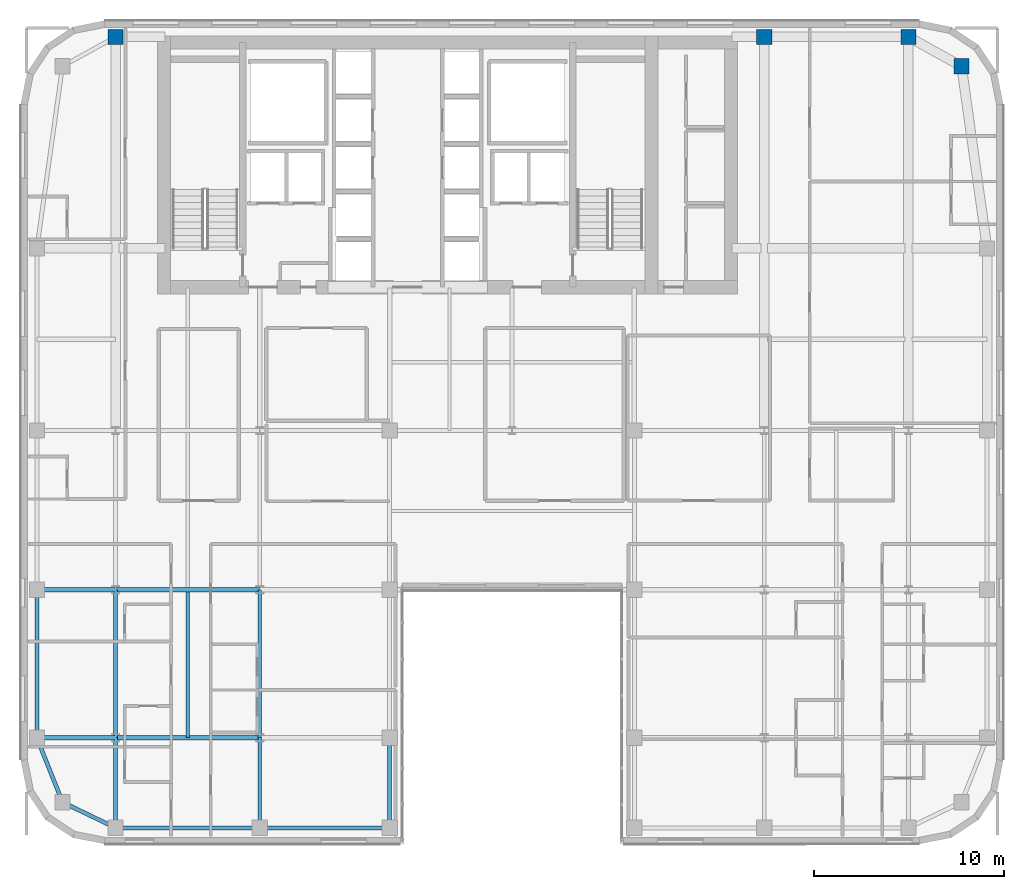
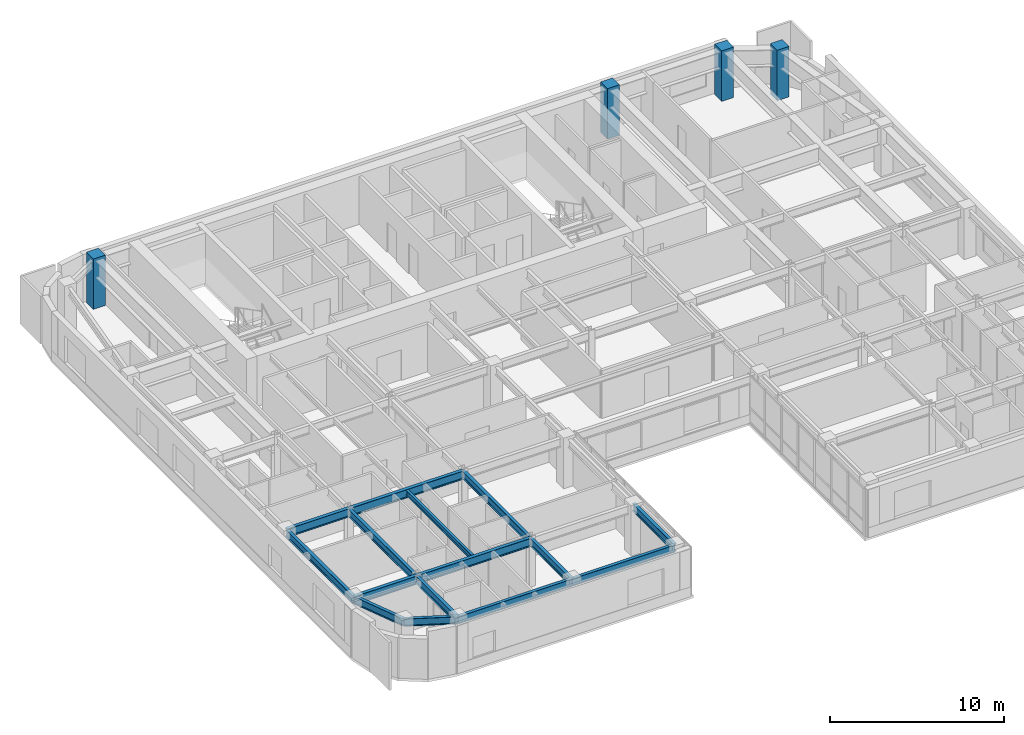
# One storey, part 2 of 20: 15 beams, 4 columns.
"""IFC4 building model written with IfcOpenShell, lengths in metres."""

from ifc_helpers import new_model, si_unit, direction, frame, origin, origin_2d, place, context, subcontext, project, spatial, rectangle, i_section, extrude, source, transform, mapped, material, material_profile, profile_set, type_object, type_shapes, element, save


model = new_model("IFC4")

# Units and contexts
model_context = context("Model", 3, precision=1e-05, world=origin(), true_north=direction((0.0, 1.0)))
body_context = subcontext(model_context, "Body", "Model", "MODEL_VIEW")
ifc_project = project(units=[si_unit("LENGTHUNIT", "METRE"), si_unit("AREAUNIT", "SQUARE_METRE"), si_unit("VOLUMEUNIT", "CUBIC_METRE"), si_unit("PLANEANGLEUNIT", "RADIAN"), si_unit("MASSUNIT", "GRAM", prefix="KILO")], contexts=[model_context])

# Site, building, storey
site_placement = place(None, origin())
site = spatial("IfcSite", under=ifc_project, at=site_placement, CompositionType="ELEMENT")
building_placement = place(site_placement, origin())
building = spatial("IfcBuilding", under=site, at=building_placement, Name="Tolvann Quenvar Hotel", CompositionType="ELEMENT")
storey_placement = place(building_placement, frame((0.0, 0.0, 175.449951171875)))
storey = spatial("IfcBuildingStorey", under=building, at=storey_placement, Name="L46", CompositionType="ELEMENT", Elevation=175.449951171875)

# Columns
ifc_material_1 = material(Name="Concrete N50 (50 MPa)", Category="concrete")
ifc_material_profile_1 = material_profile(ifc_material_1, rectangle(XDim=0.800048828125, YDim=0.800048828125, at=origin_2d()), Name="RC800x800")
ifc_profile_set_1 = profile_set([ifc_material_profile_1], Name="Concrete N50 (50 MPa)")
column_type = type_object("IfcColumnType", Name="COL_RC800", PredefinedType="COLUMN", material=ifc_profile_set_1)
shared_shape_1 = source(origin(), body_context, "Body", "SweptSolid", [
    extrude(rectangle(XDim=0.800048828125, YDim=0.800048828125, at=origin_2d()), origin(), (0.0, 0.0, 1.0), 3.550048828125),
])
type_shapes(column_type, [shared_shape_1])
for number, where, z_axis, x_axis, name in (
    (1, (7.60009765625, 45.14990234375, 0.0), (0.0, 0.0, 1.0), (1.0, 0.0, 0.0), "Column CN (L46)"),
    (2, (41.800048828125, 45.14990234375, 0.0), (0.0, 0.0, 1.0), (1.0, 0.0, 0.0), "Column HN (L46)"),
    (3, (49.39990234375, 45.14990234375, 0.0), (0.0, 0.0, 1.0), (1.0, 0.0, 0.0), "Column IN (L46)"),
    (4, (52.199951171875, 43.60009765625, 0.0), (0.0, 0.0, 1.0), (1.0, 0.0, 0.0), "Column JN (L46)"),
):
    element("IfcColumn", number, at=place(storey_placement, frame(where, z_axis=z_axis, x_axis=x_axis)), inside=storey, type_object=column_type, Name=name, PredefinedType="COLUMN", context=body_context, shape_type="MappedRepresentation", body=[
        mapped(shared_shape_1, transform((0.0, 0.0, 0.0), x_axis=(1.0, 0.0, 0.0), y_axis=(0.0, 1.0, 0.0), z_axis=(0.0, 0.0, 1.0), scale=1.0)),
    ])

# Beams
ifc_material_2 = material(Name="Steel Grade 350", Category="steel")
ifc_material_profile_2 = material_profile(ifc_material_2, i_section(OverallWidth=0.208984375, OverallDepth=0.528076171875, WebThickness=0.009521484375, FlangeThickness=0.01318359375, FilletRadius=0.013916015625, at=origin_2d()), Name="530UB82")
ifc_profile_set_2 = profile_set([ifc_material_profile_2], Name="Steel Grade 350")
beam_type_1 = type_object("IfcBeamType", Name="BM_SPAND_530UB82", PredefinedType="SPANDREL", material=ifc_profile_set_2)
shared_shape_2 = source(origin(), body_context, "Body", "SweptSolid", [
    extrude(i_section(OverallWidth=0.208984375, OverallDepth=0.528076171875, WebThickness=0.009521484375, FlangeThickness=0.01318359375, FilletRadius=0.013916015625, at=origin_2d()), origin(), (0.0, 0.0, 1.0), 7.599853515625),
])
beam_1_placement = place(storey_placement, frame((7.60009765625, 3.449951171875, 3.10595703125), z_axis=(1.0, 0.0, 0.0), x_axis=(0.0, 1.0, 0.0)))
element("IfcBeam", 5, at=beam_1_placement, inside=storey, type_object=beam_type_1, Name="BM-L46-EW-2-C2-D2", PredefinedType="SPANDREL", context=body_context, shape_type="MappedRepresentation", body=[
    mapped(shared_shape_2, transform((0.0, 0.0, 0.0), x_axis=(1.0, 0.0, 0.0), y_axis=(0.0, 1.0, 0.0), z_axis=(0.0, 0.0, 1.0), scale=1.0)),
])
shared_shape_3 = source(origin(), body_context, "Body", "SweptSolid", [
    extrude(i_section(OverallWidth=0.208984375, OverallDepth=0.528076171875, WebThickness=0.009521484375, FlangeThickness=0.01318359375, FilletRadius=0.013916015625, at=origin_2d()), origin(), (0.0, 0.0, 1.0), 6.85009765625),
])
beam_2_placement = place(storey_placement, frame((15.199951171875, 3.449951171875, 3.10595703125), z_axis=(1.0, 0.0, 0.0), x_axis=(0.0, 1.0, 0.0)))
element("IfcBeam", 6, at=beam_2_placement, inside=storey, type_object=beam_type_1, Name="BM-L46-EW-2-D2-E2", PredefinedType="SPANDREL", context=body_context, shape_type="MappedRepresentation", body=[
    mapped(shared_shape_3, transform((0.0, 0.0, 0.0), x_axis=(1.0, 0.0, 0.0), y_axis=(0.0, 1.0, 0.0), z_axis=(0.0, 0.0, 1.0), scale=1.0)),
])
shared_shape_4 = source(origin(), body_context, "Body", "SweptSolid", [
    extrude(i_section(OverallWidth=0.208984375, OverallDepth=0.528076171875, WebThickness=0.009521484375, FlangeThickness=0.01318359375, FilletRadius=0.013916015625, at=origin_2d()), origin(), (0.0, 0.0, 1.0), 7.800048828125),
])
beam_3_placement = place(storey_placement, frame((3.449951171875, 8.199951171875, 3.10595703125), z_axis=(0.0, 1.0, 0.0), x_axis=(-1.0, 0.0, 0.0)))
element("IfcBeam", 7, at=beam_3_placement, inside=storey, type_object=beam_type_1, Name="BM-L46-NS-B3-B4", PredefinedType="SPANDREL", context=body_context, shape_type="MappedRepresentation", body=[
    mapped(shared_shape_4, transform((0.0, 0.0, 0.0), x_axis=(1.0, 0.0, 0.0), y_axis=(0.0, 1.0, 0.0), z_axis=(0.0, 0.0, 1.0), scale=1.0)),
])
ifc_material_profile_3 = material_profile(ifc_material_2, i_section(OverallWidth=0.208984375, OverallDepth=0.532958984375, WebThickness=0.01025390625, FlangeThickness=0.015625, FilletRadius=0.013916015625, at=origin_2d()), Name="530UB92")
ifc_profile_set_3 = profile_set([ifc_material_profile_3], Name="Steel Grade 350")
beam_type_2 = type_object("IfcBeamType", Name="BM_GIRD_530UB92", PredefinedType="BEAM", material=ifc_profile_set_3)
shared_shape_5 = source(origin(), body_context, "Body", "SweptSolid", [
    extrude(i_section(OverallWidth=0.208984375, OverallDepth=0.532958984375, WebThickness=0.01025390625, FlangeThickness=0.015625, FilletRadius=0.013916015625, at=origin_2d()), origin(), (0.0, 0.0, 1.0), 7.800048828125),
])
for number, where, z_axis, x_axis, name in (
    (8, (7.60009765625, 8.199951171875, 3.103515625), (0.0, 1.0, 0.0), (-1.0, 0.0, 0.0), "BM-L46-NS-C3-C4"),
    (9, (15.199951171875, 8.199951171875, 3.103515625), (0.0, 1.0, 0.0), (-1.0, 0.0, 0.0), "BM-L46-NS-D3-D4"),
):
    element("IfcBeam", number, at=place(storey_placement, frame(where, z_axis=z_axis, x_axis=x_axis)), inside=storey, type_object=beam_type_2, Name=name, PredefinedType="BEAM", context=body_context, shape_type="MappedRepresentation", body=[
        mapped(shared_shape_5, transform((0.0, 0.0, 0.0), x_axis=(1.0, 0.0, 0.0), y_axis=(0.0, 1.0, 0.0), z_axis=(0.0, 0.0, 1.0), scale=1.0)),
    ])
shared_shape_6 = source(origin(), body_context, "Body", "SweptSolid", [
    extrude(i_section(OverallWidth=0.208984375, OverallDepth=0.528076171875, WebThickness=0.009521484375, FlangeThickness=0.01318359375, FilletRadius=0.013916015625, at=origin_2d()), origin(), (0.0, 0.0, 1.0), 3.108642578125),
])
beam_4_placement = place(storey_placement, frame((4.800048828125, 4.800048828125, 3.10595703125), z_axis=(0.900759354066, -0.434318530646, 0.0), x_axis=(0.434318530646, 0.900759354066, 0.0)))
element("IfcBeam", 10, at=beam_4_placement, inside=storey, type_object=beam_type_1, Name="BM-L46-EW-2-B2-C2", PredefinedType="SPANDREL", context=body_context, shape_type="MappedRepresentation", body=[
    mapped(shared_shape_6, transform((0.0, 0.0, 0.0), x_axis=(1.0, 0.0, 0.0), y_axis=(0.0, 1.0, 0.0), z_axis=(0.0, 0.0, 1.0), scale=1.0)),
])
ifc_material_profile_4 = material_profile(ifc_material_2, i_section(OverallWidth=0.22802734375, OverallDepth=0.60205078125, WebThickness=0.010498046875, FlangeThickness=0.014892578125, FilletRadius=0.013916015625, at=origin_2d()), Name="610UB101")
ifc_profile_set_4 = profile_set([ifc_material_profile_4], Name="Steel Grade 350")
beam_type_3 = type_object("IfcBeamType", Name="BM_GIRD_610UB101", PredefinedType="BEAM", material=ifc_profile_set_4)
shared_shape_7 = source(origin(), body_context, "Body", "SweptSolid", [
    extrude(i_section(OverallWidth=0.22802734375, OverallDepth=0.60205078125, WebThickness=0.010498046875, FlangeThickness=0.014892578125, FilletRadius=0.013916015625, at=origin_2d()), origin(), (0.0, 0.0, 1.0), 4.150146484375),
])
for number, where, z_axis, x_axis, name in (
    (11, (3.449951171875, 8.199951171875, 3.069091796875), (1.0, 0.0, 0.0), (0.0, 1.0, 0.0), "BM-L46-EW-3-B3-C3"),
    (12, (3.449951171875, 16.0, 3.069091796875), (1.0, 0.0, 0.0), (0.0, 1.0, 0.0), "BM-L46-EW-4-B4-C4"),
):
    element("IfcBeam", number, at=place(storey_placement, frame(where, z_axis=z_axis, x_axis=x_axis)), inside=storey, type_object=beam_type_3, Name=name, PredefinedType="BEAM", context=body_context, shape_type="MappedRepresentation", body=[
        mapped(shared_shape_7, transform((0.0, 0.0, 0.0), x_axis=(1.0, 0.0, 0.0), y_axis=(0.0, 1.0, 0.0), z_axis=(0.0, 0.0, 1.0), scale=1.0)),
    ])
shared_shape_8 = source(origin(), body_context, "Body", "SweptSolid", [
    extrude(i_section(OverallWidth=0.22802734375, OverallDepth=0.60205078125, WebThickness=0.010498046875, FlangeThickness=0.014892578125, FilletRadius=0.013916015625, at=origin_2d()), origin(), (0.0, 0.0, 1.0), 7.599853515625),
])
type_shapes(beam_type_3, [shared_shape_7, shared_shape_8])
for number, where, z_axis, x_axis, name in (
    (13, (7.60009765625, 8.199951171875, 3.069091796875), (1.0, 0.0, 0.0), (0.0, 1.0, 0.0), "BM-L46-EW-3-C3-D3"),
    (14, (7.60009765625, 16.0, 3.069091796875), (1.0, 0.0, 0.0), (0.0, 1.0, 0.0), "BM-L46-EW-4-C4-D4"),
):
    element("IfcBeam", number, at=place(storey_placement, frame(where, z_axis=z_axis, x_axis=x_axis)), inside=storey, type_object=beam_type_3, Name=name, PredefinedType="BEAM", context=body_context, shape_type="MappedRepresentation", body=[
        mapped(shared_shape_8, transform((0.0, 0.0, 0.0), x_axis=(1.0, 0.0, 0.0), y_axis=(0.0, 1.0, 0.0), z_axis=(0.0, 0.0, 1.0), scale=1.0)),
    ])
shared_shape_9 = source(origin(), body_context, "Body", "SweptSolid", [
    extrude(i_section(OverallWidth=0.208984375, OverallDepth=0.528076171875, WebThickness=0.009521484375, FlangeThickness=0.01318359375, FilletRadius=0.013916015625, at=origin_2d()), origin(), (0.0, 0.0, 1.0), 3.658203125),
])
type_shapes(beam_type_1, [shared_shape_2, shared_shape_3, shared_shape_4, shared_shape_6, shared_shape_9])
beam_5_placement = place(storey_placement, frame((4.800048828125, 4.800048828125, 3.10595703125), z_axis=(-0.369065163807, 0.929403521009, 0.0), x_axis=(-0.929403521009, -0.369065163807, 0.0)))
element("IfcBeam", 15, at=beam_5_placement, inside=storey, type_object=beam_type_1, Name="BM-L46-NS-B2-B3", PredefinedType="SPANDREL", context=body_context, shape_type="MappedRepresentation", body=[
    mapped(shared_shape_9, transform((0.0, 0.0, 0.0), x_axis=(1.0, 0.0, 0.0), y_axis=(0.0, 1.0, 0.0), z_axis=(0.0, 0.0, 1.0), scale=1.0)),
])
shared_shape_10 = source(origin(), body_context, "Body", "SweptSolid", [
    extrude(i_section(OverallWidth=0.208984375, OverallDepth=0.532958984375, WebThickness=0.01025390625, FlangeThickness=0.015625, FilletRadius=0.013916015625, at=origin_2d()), origin(), (0.0, 0.0, 1.0), 4.75),
])
type_shapes(beam_type_2, [shared_shape_5, shared_shape_10])
for number, where, z_axis, x_axis, name in (
    (16, (7.60009765625, 3.449951171875, 3.103515625), (0.0, 1.0, 0.0), (-1.0, 0.0, 0.0), "BM-L46-NS-C2-C3"),
    (17, (15.199951171875, 3.449951171875, 3.103515625), (0.0, 1.0, 0.0), (-1.0, 0.0, 0.0), "BM-L46-NS-D2-D3"),
    (18, (22.050048828125, 3.449951171875, 3.103515625), (0.0, 1.0, 0.0), (-1.0, 0.0, 0.0), "BM-L46-NS-E2-E3"),
):
    element("IfcBeam", number, at=place(storey_placement, frame(where, z_axis=z_axis, x_axis=x_axis)), inside=storey, type_object=beam_type_2, Name=name, PredefinedType="BEAM", context=body_context, shape_type="MappedRepresentation", body=[
        mapped(shared_shape_10, transform((0.0, 0.0, 0.0), x_axis=(1.0, 0.0, 0.0), y_axis=(0.0, 1.0, 0.0), z_axis=(0.0, 0.0, 1.0), scale=1.0)),
    ])
ifc_material_profile_5 = material_profile(ifc_material_2, i_section(OverallWidth=0.172119140625, OverallDepth=0.35888671875, WebThickness=0.008056640625, FlangeThickness=0.012939453125, FilletRadius=0.011474609375, at=origin_2d()), Name="360UB57")
ifc_profile_set_5 = profile_set([ifc_material_profile_5], Name="Steel Grade 350")
beam_type_4 = type_object("IfcBeamType", Name="BM_JOIST_360UB57", PredefinedType="JOIST", material=ifc_profile_set_5)
shared_shape_11 = source(origin(), body_context, "Body", "SweptSolid", [
    extrude(i_section(OverallWidth=0.172119140625, OverallDepth=0.35888671875, WebThickness=0.008056640625, FlangeThickness=0.012939453125, FilletRadius=0.011474609375, at=origin_2d()), origin(), (0.0, 0.0, 1.0), 7.692138671875),
])
type_shapes(beam_type_4, [shared_shape_11])
beam_6_placement = place(storey_placement, frame((11.39990234375, 8.199951171875, 3.1904296875), z_axis=(0.0, 1.0, 0.0), x_axis=(-1.0, 0.0, 0.0)))
element("IfcBeam", 19, at=beam_6_placement, inside=storey, type_object=beam_type_4, Name="BJ-L46-114-82", PredefinedType="JOIST", context=body_context, shape_type="MappedRepresentation", body=[
    mapped(shared_shape_11, transform((0.0, 0.0, 0.0), x_axis=(1.0, 0.0, 0.0), y_axis=(0.0, 1.0, 0.0), z_axis=(0.0, 0.0, 1.0), scale=1.0)),
])

save(model, "model.ifc")
